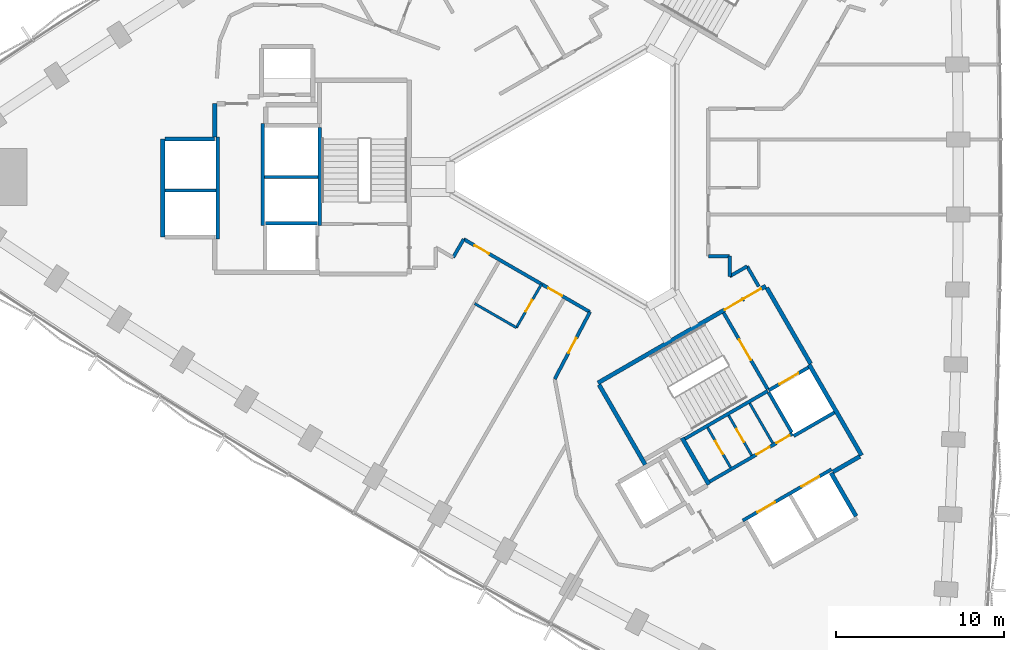
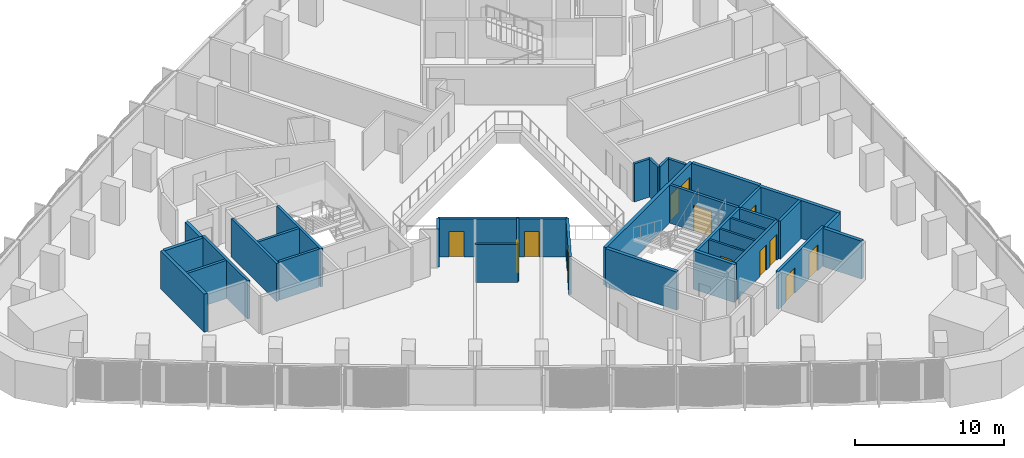
# One storey, part 9 of 15: 35 walls, 14 doors, 14 openings.
"""IFC4 building model written with IfcOpenShell, lengths in metres."""

from ifc_helpers import new_model, si_unit, direction, frame, frame_2d, origin, place, context, subcontext, project, spatial, rectangle, extrude, material, layer, layer_set, type_object, element, fill, save


model = new_model("IFC4")

# Units and contexts
model_context = context("Model", 3, precision=1e-05, world=origin(), true_north=direction((0.0, 1.0)))
body_context = subcontext(model_context, "Body", "Model", "MODEL_VIEW")
ifc_project = project(units=[si_unit("LENGTHUNIT", "METRE"), si_unit("AREAUNIT", "SQUARE_METRE"), si_unit("VOLUMEUNIT", "CUBIC_METRE"), si_unit("PLANEANGLEUNIT", "RADIAN"), si_unit("MASSUNIT", "GRAM", prefix="KILO")], contexts=[model_context])

# Site, building, storey
site_placement = place(None, origin())
site = spatial("IfcSite", under=ifc_project, at=site_placement, CompositionType="ELEMENT")
building_placement = place(site_placement, origin())
building = spatial("IfcBuilding", under=site, at=building_placement, Name="Tamra Quay Hotel Tower", CompositionType="ELEMENT")
storey_placement = place(building_placement, frame((0.0, 0.0, 63.800048828125)))
storey = spatial("IfcBuildingStorey", under=building, at=storey_placement, Name="L14", CompositionType="ELEMENT", Elevation=63.800048828125)

# Walls
ifc_material_1 = material(Name="Concrete M70", Category="concrete")
ifc_layer_1 = layer(ifc_material_1, 0.199951171875)
ifc_layer_set_1 = layer_set([ifc_layer_1], Name="Concrete M70 core wall 200")
wall_type_1 = type_object("IfcWallType", Name="Concrete M70 core wall 200", PredefinedType="SHEAR", material=ifc_layer_set_1)
wall_1_placement = place(storey_placement, frame((-16.162109375, 2.95068359375, 0.0), z_axis=(0.0, 0.0, 1.0), x_axis=(0.0, -1.0, 0.0)))
element("IfcWall", 1, at=wall_1_placement, inside=storey, type_object=wall_type_1, Name="CW2", PredefinedType="SHEAR", context=body_context, shape_type="SweptSolid", body=[
    extrude(rectangle(XDim=5.850830078125, YDim=0.199951171875, at=frame_2d((2.92529296875, 0.0))), origin(), (0.0, 0.0, 1.0), 3.125),
])
for number, where, z_axis, x_axis, name in (
    (2, (-19.5625, -2.900146484375, 0.0), (0.0, 0.0, 1.0), (0.0, 1.0, 0.0), "CW2"),
    (3, (-22.26220703125, 2.400146484375, 0.0), (0.0, 0.0, 1.0), (0.0, -1.0, 0.0), "CW2"),
):
    element("IfcWall", number, at=place(storey_placement, frame(where, z_axis=z_axis, x_axis=x_axis)), inside=storey, type_object=wall_type_1, Name=name, PredefinedType="SHEAR", context=body_context, shape_type="SweptSolid", body=[
        extrude(rectangle(XDim=6.100341796875, YDim=0.199951171875, at=frame_2d((3.05029296875, 0.0))), origin(), (0.0, 0.0, 1.0), 3.125),
    ])
wall_2_placement = place(storey_placement, frame((-16.26318359375, 0.0, 0.0), z_axis=(0.0, 0.0, 1.0), x_axis=(-1.0, 0.0, 0.0)))
element("IfcWall", 4, at=wall_2_placement, inside=storey, type_object=wall_type_1, Name="CW2", PredefinedType="SHEAR", context=body_context, shape_type="SweptSolid", body=[
    extrude(rectangle(XDim=3.1982421875, YDim=0.199951171875, at=frame_2d((1.59912109375, 0.0))), origin(), (0.0, 0.0, 1.0), 3.125),
])
wall_3_placement = place(storey_placement, frame((-22.36328125, -0.800048828125, 0.0), z_axis=(0.0, 0.0, 1.0), x_axis=(-1.0, 0.0, 0.0)))
element("IfcWall", 5, at=wall_3_placement, inside=storey, type_object=wall_type_1, Name="CW2", PredefinedType="SHEAR", context=body_context, shape_type="SweptSolid", body=[
    extrude(rectangle(XDim=3.048095703125, YDim=0.199951171875, at=frame_2d((1.52392578125, 0.0))), origin(), (0.0, 0.0, 1.0), 3.125),
])
wall_4_placement = place(storey_placement, frame((-19.412353515625, -2.75, 0.0), z_axis=(0.0, 0.0, 1.0), x_axis=(1.0, 0.0, 0.0)))
element("IfcWall", 6, at=wall_4_placement, inside=storey, type_object=wall_type_1, Name="CW2", PredefinedType="SHEAR", context=body_context, shape_type="SweptSolid", body=[
    extrude(rectangle(XDim=3.10009765625, YDim=0.199951171875, at=frame_2d((1.550048828125, 0.0))), origin(), (0.0, 0.0, 1.0), 3.125),
])

# Wall, openings, doors
wall_5_placement = place(storey_placement, frame((9.052490234375, -20.479736328125, 0.0), z_axis=(0.0, 0.0, 1.0), x_axis=(0.866030299012, 0.499991521122, 0.0)))
wall_5 = element("IfcWall", 7, at=wall_5_placement, inside=storey, type_object=wall_type_1, Name="CW2", PredefinedType="SHEAR", context=body_context, shape_type="SweptSolid", body=[
    extrude(rectangle(XDim=6.10009765625, YDim=0.199951171875, at=frame_2d((3.050048828125, 0.0))), origin(), (0.0, 0.0, 1.0), 3.125),
])
opening_1_placement = place(wall_5_placement, frame((1.0, 0.0, 0.0)))
opening_1 = element("IfcOpeningElement", 8, at=opening_1_placement, cuts=wall_5, Name="Opening LD", PredefinedType="OPENING", context=body_context, shape_type="SweptSolid", body=[
    extrude(rectangle(XDim=1.199951171875, YDim=2.10009765625, at=frame_2d((0.60009765625, 1.050048828125))), frame((0.0, 0.10986328125, 0.0), z_axis=(0.0, -1.0, 0.0), x_axis=(1.0, 0.0, 0.0)), (0.0, 0.0, 1.0), 0.219970703125),
])
opening_2_placement = place(wall_5_placement, frame((4.05029296875, 0.0, 0.0)))
opening_2 = element("IfcOpeningElement", 9, at=opening_2_placement, cuts=wall_5, Name="Opening LD", PredefinedType="OPENING", context=body_context, shape_type="SweptSolid", body=[
    extrude(rectangle(XDim=1.199951171875, YDim=2.10009765625, at=frame_2d((0.60009765625, 1.050048828125))), frame((0.0, 0.10986328125, 0.0), z_axis=(0.0, -1.0, 0.0), x_axis=(1.0, 0.0, 0.0)), (0.0, 0.0, 1.0), 0.219970703125),
])
ifc_material_2 = material(Name="Landing door LD 1200 double door sliding")
door_type_1 = type_object("IfcDoorType", Name="Landing door LD 1200 double door sliding", OperationType="DOUBLE_DOOR_SLIDING", PredefinedType="DOOR", material=ifc_material_2)
door_1_placement = place(opening_1_placement, origin())
door_1 = element("IfcDoor", 10, at=door_1_placement, inside=storey, type_object=door_type_1, Name="LD", OperationType="DOUBLE_DOOR_SLIDING", OverallHeight=2.10009765625, OverallWidth=1.199951171875, PredefinedType="DOOR", context=body_context, shape_type="SweptSolid", body=[
    extrude(rectangle(XDim=1.199951171875, YDim=2.10009765625, at=frame_2d((0.60009765625, 1.050048828125))), frame((0.0, 0.02490234375, 0.0), z_axis=(0.0, -1.0, 0.0), x_axis=(1.0, 0.0, 0.0)), (0.0, 0.0, 1.0), 0.050048828125),
])
fill(opening_1, door_1)
door_2_placement = place(opening_2_placement, origin())
door_2 = element("IfcDoor", 11, at=door_2_placement, inside=storey, type_object=door_type_1, Name="LD", OperationType="DOUBLE_DOOR_SLIDING", OverallHeight=2.10009765625, OverallWidth=1.199951171875, PredefinedType="DOOR", context=body_context, shape_type="SweptSolid", body=[
    extrude(rectangle(XDim=1.199951171875, YDim=2.10009765625, at=frame_2d((0.60009765625, 1.050048828125))), frame((0.0, 0.02490234375, 0.0), z_axis=(0.0, -1.0, 0.0), x_axis=(1.0, 0.0, 0.0)), (0.0, 0.0, 1.0), 0.050048828125),
])
fill(opening_2, door_2)

# Wall
wall_6_placement = place(storey_placement, frame((10.537841796875, -12.751953125, 0.0), z_axis=(0.0, 0.0, 1.0), x_axis=(-0.866038630372, -0.499977090179, 0.0)))
element("IfcWall", 12, at=wall_6_placement, inside=storey, type_object=wall_type_1, Name="CW2", PredefinedType="SHEAR", context=body_context, shape_type="SweptSolid", body=[
    extrude(rectangle(XDim=5.698974609375, YDim=0.199951171875, at=frame_2d((2.849609375, 0.0))), origin(), (0.0, 0.0, 1.0), 3.125),
])

# Wall, openings, doors
wall_7_placement = place(storey_placement, frame((7.0771484375, -18.156005859375, 0.0), z_axis=(0.0, 0.0, 1.0), x_axis=(0.866038630372, 0.499977090179, 0.0)))
wall_7 = element("IfcWall", 13, at=wall_7_placement, inside=storey, type_object=wall_type_1, Name="CW2", PredefinedType="SHEAR", context=body_context, shape_type="SweptSolid", body=[
    extrude(rectangle(XDim=5.698974609375, YDim=0.199951171875, at=frame_2d((2.849609375, 0.0))), origin(), (0.0, 0.0, 1.0), 3.125),
])
opening_3_placement = place(wall_7_placement, frame((3.22412109375, 0.0, 0.0)))
opening_3 = element("IfcOpeningElement", 14, at=opening_3_placement, cuts=wall_7, Name="Opening D2", PredefinedType="OPENING", context=body_context, shape_type="SweptSolid", body=[
    extrude(rectangle(XDim=0.89990234375, YDim=2.10009765625, at=frame_2d((0.449951171875, 1.050048828125))), frame((0.0, 0.10986328125, 0.0), z_axis=(0.0, -1.0, 0.0), x_axis=(1.0, 0.0, 0.0)), (0.0, 0.0, 1.0), 0.219970703125),
])
opening_4_placement = place(wall_7_placement, frame((4.59912109375, 0.0, 0.0)))
opening_4 = element("IfcOpeningElement", 15, at=opening_4_placement, cuts=wall_7, Name="Opening D2", PredefinedType="OPENING", context=body_context, shape_type="SweptSolid", body=[
    extrude(rectangle(XDim=0.89990234375, YDim=2.10009765625, at=frame_2d((0.449951171875, 1.050048828125))), frame((0.0, 0.10986328125, 0.0), z_axis=(0.0, -1.0, 0.0), x_axis=(1.0, 0.0, 0.0)), (0.0, 0.0, 1.0), 0.219970703125),
])
ifc_material_3 = material(Name="Core door D2 900x2100 LH")
door_type_2 = type_object("IfcDoorType", Name="Core door D2 900x2100 LH", OperationType="NOTDEFINED", PredefinedType="DOOR", material=ifc_material_3)
door_3_placement = place(opening_4_placement, origin())
door_3 = element("IfcDoor", 16, at=door_3_placement, inside=storey, type_object=door_type_2, Name="D2", OperationType="SINGLE_SWING_LEFT", OverallHeight=2.10009765625, OverallWidth=0.89990234375, PredefinedType="DOOR", context=body_context, shape_type="SweptSolid", body=[
    extrude(rectangle(XDim=0.89990234375, YDim=2.10009765625, at=frame_2d((0.449951171875, 1.050048828125))), frame((0.0, 0.02490234375, 0.0), z_axis=(0.0, -1.0, 0.0), x_axis=(1.0, 0.0, 0.0)), (0.0, 0.0, 1.0), 0.050048828125),
])
fill(opening_4, door_3)
ifc_material_4 = material(Name="Core door D2 900x2100 RH")
door_type_3 = type_object("IfcDoorType", Name="Core door D2 900x2100 RH", OperationType="NOTDEFINED", PredefinedType="DOOR", material=ifc_material_4)
door_4_placement = place(opening_3_placement, origin())
door_4 = element("IfcDoor", 17, at=door_4_placement, inside=storey, type_object=door_type_3, Name="D2", OperationType="SINGLE_SWING_RIGHT", OverallHeight=2.10009765625, OverallWidth=0.89990234375, PredefinedType="DOOR", context=body_context, shape_type="SweptSolid", body=[
    extrude(rectangle(XDim=0.89990234375, YDim=2.10009765625, at=frame_2d((0.449951171875, 1.050048828125))), frame((0.0, 0.02490234375, 0.0), z_axis=(0.0, -1.0, 0.0), x_axis=(1.0, 0.0, 0.0)), (0.0, 0.0, 1.0), 0.050048828125),
])
fill(opening_3, door_4)

# Wall, opening, door
wall_8_placement = place(storey_placement, frame((7.906494140625, -8.094482421875, 0.0), z_axis=(0.0, 0.0, 1.0), x_axis=(0.500024287448, -0.866011380966, 0.0)))
wall_8 = element("IfcWall", 18, at=wall_8_placement, inside=storey, type_object=wall_type_1, Name="CW2", PredefinedType="SHEAR", context=body_context, shape_type="SweptSolid", body=[
    extrude(rectangle(XDim=5.251220703125, YDim=0.199951171875, at=frame_2d((2.62548828125, 0.0))), origin(), (0.0, 0.0, 1.0), 3.125),
])
opening_5_placement = place(wall_8_placement, frame((1.84912109375, 0.0, 0.0)))
opening_5 = element("IfcOpeningElement", 19, at=opening_5_placement, cuts=wall_8, Name="Opening FD2", PredefinedType="OPENING", context=body_context, shape_type="SweptSolid", body=[
    extrude(rectangle(XDim=1.39990234375, YDim=2.10009765625, at=frame_2d((0.699951171875, 1.050048828125))), frame((0.0, 0.10986328125, 0.0), z_axis=(0.0, -1.0, 0.0), x_axis=(1.0, 0.0, 0.0)), (0.0, 0.0, 1.0), 0.219970703125),
])
ifc_material_5 = material(Name="Core door FD2 1400x2100 LH")
door_type_4 = type_object("IfcDoorType", Name="Core door FD2 1400x2100 LH", OperationType="NOTDEFINED", PredefinedType="DOOR", material=ifc_material_5)
door_5_placement = place(opening_5_placement, origin())
door_5 = element("IfcDoor", 20, at=door_5_placement, inside=storey, type_object=door_type_4, Name="FD2", OperationType="SINGLE_SWING_LEFT", OverallHeight=2.10009765625, OverallWidth=1.39990234375, PredefinedType="DOOR", context=body_context, shape_type="SweptSolid", body=[
    extrude(rectangle(XDim=1.39990234375, YDim=2.10009765625, at=frame_2d((0.699951171875, 1.050048828125))), frame((0.0, 0.02490234375, 0.0), z_axis=(0.0, -1.0, 0.0), x_axis=(1.0, 0.0, 0.0)), (0.0, 0.0, 1.0), 0.050048828125),
])
fill(opening_5, door_5)

# Wall
wall_9_placement = place(storey_placement, frame((11.962646484375, -15.219970703125, 0.0), z_axis=(0.0, 0.0, 1.0), x_axis=(-0.500034990121, 0.866005201286, 0.0)))
element("IfcWall", 21, at=wall_9_placement, inside=storey, type_object=wall_type_1, Name="CW2", PredefinedType="SHEAR", context=body_context, shape_type="SweptSolid", body=[
    extrude(rectangle(XDim=2.749755859375, YDim=0.199951171875, at=frame_2d((1.375, 0.0))), origin(), (0.0, 0.0, 1.0), 3.125),
])

# Wall, opening, door
wall_10_placement = place(storey_placement, frame((10.587158203125, -12.72314453125, 0.0), z_axis=(0.0, 0.0, 1.0), x_axis=(0.866037306777, 0.499979382845, 0.0)))
wall_10 = element("IfcWall", 22, at=wall_10_placement, inside=storey, type_object=wall_type_1, Name="CW2", PredefinedType="SHEAR", context=body_context, shape_type="SweptSolid", body=[
    extrude(rectangle(XDim=2.74169921875, YDim=0.199951171875, at=frame_2d((1.370849609375, 0.0))), origin(), (0.0, 0.0, 1.0), 3.125),
])
opening_6_placement = place(wall_10_placement, frame((0.742919921875, 0.0, 0.0)))
opening_6 = element("IfcOpeningElement", 23, at=opening_6_placement, cuts=wall_10, Name="Opening LD", PredefinedType="OPENING", context=body_context, shape_type="SweptSolid", body=[
    extrude(rectangle(XDim=1.300048828125, YDim=2.10009765625, at=frame_2d((0.64990234375, 1.050048828125))), frame((0.0, 0.10986328125, 0.0), z_axis=(0.0, -1.0, 0.0), x_axis=(1.0, 0.0, 0.0)), (0.0, 0.0, 1.0), 0.219970703125),
])
ifc_material_6 = material(Name="Landing door LD 1300 sliding to left")
door_type_5 = type_object("IfcDoorType", Name="Landing door LD 1300 sliding to left", OperationType="NOTDEFINED", PredefinedType="DOOR", material=ifc_material_6)
door_6_placement = place(opening_6_placement, origin())
door_6 = element("IfcDoor", 24, at=door_6_placement, inside=storey, type_object=door_type_5, Name="LD", OperationType="SLIDING_TO_LEFT", OverallHeight=2.10009765625, OverallWidth=1.300048828125, PredefinedType="DOOR", context=body_context, shape_type="SweptSolid", body=[
    extrude(rectangle(XDim=1.300048828125, YDim=2.10009765625, at=frame_2d((0.64990234375, 1.050048828125))), frame((0.0, 0.02490234375, 0.0), z_axis=(0.0, -1.0, 0.0), x_axis=(1.0, 0.0, 0.0)), (0.0, 0.0, 1.0), 0.050048828125),
])
fill(opening_6, door_6)

# Walls
wall_11_placement = place(storey_placement, frame((14.51171875, -14.037109375, 0.0), z_axis=(0.0, 0.0, 1.0), x_axis=(-0.866044696403, -0.499966582715, 0.0)))
element("IfcWall", 25, at=wall_11_placement, inside=storey, type_object=wall_type_1, Name="CW2", PredefinedType="SHEAR", context=body_context, shape_type="SweptSolid", body=[
    extrude(rectangle(XDim=2.799072265625, YDim=0.199951171875, at=frame_2d((1.3994140625, 0.0))), origin(), (0.0, 0.0, 1.0), 3.125),
])
ifc_layer_2 = layer(ifc_material_1, 0.25)
ifc_layer_set_2 = layer_set([ifc_layer_2], Name="Concrete M70 core wall 250")
wall_type_2 = type_object("IfcWallType", Name="Concrete M70 core wall 250", PredefinedType="SHEAR", material=ifc_layer_set_2)
wall_12_placement = place(storey_placement, frame((-25.537353515625, -3.574951171875, 0.0), z_axis=(0.0, 0.0, 1.0), x_axis=(0.0, 1.0, 0.0)))
element("IfcWall", 26, at=wall_12_placement, inside=storey, type_object=wall_type_2, Name="CW1", PredefinedType="SHEAR", context=body_context, shape_type="SweptSolid", body=[
    extrude(rectangle(XDim=5.849853515625, YDim=0.25, at=frame_2d((2.9248046875, 0.0))), origin(), (0.0, 0.0, 1.0), 3.125),
])
wall_13_placement = place(storey_placement, frame((-25.411865234375, 2.27490234375, 0.0), z_axis=(0.0, 0.0, 1.0), x_axis=(1.0, 0.0, 0.0)))
element("IfcWall", 27, at=wall_13_placement, inside=storey, type_object=wall_type_2, Name="CW1", PredefinedType="SHEAR", context=body_context, shape_type="SweptSolid", body=[
    extrude(rectangle(XDim=2.974609375, YDim=0.25, at=frame_2d((1.4873046875, 0.0))), origin(), (0.0, 0.0, 1.0), 3.125),
])
wall_14_placement = place(storey_placement, frame((-22.437255859375, 2.400390625, 0.0), z_axis=(0.0, 0.0, 1.0), x_axis=(0.0, 1.0, 0.0)))
element("IfcWall", 28, at=wall_14_placement, inside=storey, type_object=wall_type_2, Name="CW1", PredefinedType="SHEAR", context=body_context, shape_type="SweptSolid", body=[
    extrude(rectangle(XDim=1.974609375, YDim=0.25, at=frame_2d((0.9873046875, 0.0))), origin(), (0.0, 0.0, 1.0), 3.125),
])

# Wall, openings, doors
wall_15_placement = place(storey_placement, frame((0.417236328125, -12.27294921875, 0.0), z_axis=(0.0, 0.0, 1.0), x_axis=(0.866021906294, 0.500006057782, 0.0)))
wall_15 = element("IfcWall", 29, at=wall_15_placement, inside=storey, type_object=wall_type_2, Name="CW1", PredefinedType="SHEAR", context=body_context, shape_type="SweptSolid", body=[
    extrude(rectangle(XDim=11.550048828125, YDim=0.25, at=frame_2d((5.77490234375, 0.0))), origin(), (0.0, 0.0, 1.0), 3.125),
])
opening_7_placement = place(wall_15_placement, frame((10.024658203125, 0.0, 0.0)))
opening_7 = element("IfcOpeningElement", 30, at=opening_7_placement, cuts=wall_15, Name="Opening FD1", PredefinedType="OPENING", context=body_context, shape_type="SweptSolid", body=[
    extrude(rectangle(XDim=1.199951171875, YDim=2.10009765625, at=frame_2d((0.60009765625, 1.050048828125))), frame((0.0, 0.135009765625, 0.0), z_axis=(0.0, -1.0, 0.0), x_axis=(1.0, 0.0, 0.0)), (0.0, 0.0, 1.0), 0.27001953125),
])
opening_8_placement = place(wall_15_placement, frame((8.724609375, 0.0, 0.0)))
opening_8 = element("IfcOpeningElement", 31, at=opening_8_placement, cuts=wall_15, Name="Opening FD1", PredefinedType="OPENING", context=body_context, shape_type="SweptSolid", body=[
    extrude(rectangle(XDim=1.199951171875, YDim=2.10009765625, at=frame_2d((0.60009765625, 1.050048828125))), frame((0.0, 0.135009765625, 0.0), z_axis=(0.0, -1.0, 0.0), x_axis=(1.0, 0.0, 0.0)), (0.0, 0.0, 1.0), 0.27001953125),
])
ifc_material_7 = material(Name="Core door FD1 1200x2100 LH")
door_type_6 = type_object("IfcDoorType", Name="Core door FD1 1200x2100 LH", OperationType="NOTDEFINED", PredefinedType="DOOR", material=ifc_material_7)
door_7_placement = place(opening_7_placement, origin())
door_7 = element("IfcDoor", 32, at=door_7_placement, inside=storey, type_object=door_type_6, Name="FD1", OperationType="SINGLE_SWING_LEFT", OverallHeight=2.10009765625, OverallWidth=1.199951171875, PredefinedType="DOOR", context=body_context, shape_type="SweptSolid", body=[
    extrude(rectangle(XDim=1.199951171875, YDim=2.10009765625, at=frame_2d((0.60009765625, 1.050048828125))), frame((0.0, 0.02490234375, 0.0), z_axis=(0.0, -1.0, 0.0), x_axis=(1.0, 0.0, 0.0)), (0.0, 0.0, 1.0), 0.050048828125),
])
fill(opening_7, door_7)
ifc_material_8 = material(Name="Core door FD1 1200x2100 RH")
door_type_7 = type_object("IfcDoorType", Name="Core door FD1 1200x2100 RH", OperationType="NOTDEFINED", PredefinedType="DOOR", material=ifc_material_8)
door_8_placement = place(opening_8_placement, origin())
door_8 = element("IfcDoor", 33, at=door_8_placement, inside=storey, type_object=door_type_7, Name="FD1", OperationType="SINGLE_SWING_RIGHT", OverallHeight=2.10009765625, OverallWidth=1.199951171875, PredefinedType="DOOR", context=body_context, shape_type="SweptSolid", body=[
    extrude(rectangle(XDim=1.199951171875, YDim=2.10009765625, at=frame_2d((0.60009765625, 1.050048828125))), frame((0.0, 0.02490234375, 0.0), z_axis=(0.0, -1.0, 0.0), x_axis=(1.0, 0.0, 0.0)), (0.0, 0.0, 1.0), 0.050048828125),
])
fill(opening_8, door_8)

# Walls
wall_16_placement = place(storey_placement, frame((13.00830078125, -11.18115234375, 0.0), z_axis=(0.0, 0.0, 1.0), x_axis=(0.500004234368, -0.866022959057, 0.0)))
element("IfcWall", 34, at=wall_16_placement, inside=storey, type_object=wall_type_2, Name="CW1", PredefinedType="SHEAR", context=body_context, shape_type="SweptSolid", body=[
    extrude(rectangle(XDim=6.25, YDim=0.25, at=frame_2d((3.125, 0.0))), origin(), (0.0, 0.0, 1.0), 3.125),
])
wall_17_placement = place(storey_placement, frame((3.23486328125, -17.15283203125, 0.0), z_axis=(0.0, 0.0, 1.0), x_axis=(-0.500008851346, 0.866020293397, 0.0)))
element("IfcWall", 35, at=wall_17_placement, inside=storey, type_object=wall_type_2, Name="CW1", PredefinedType="SHEAR", context=body_context, shape_type="SweptSolid", body=[
    extrude(rectangle(XDim=5.509765625, YDim=0.25, at=frame_2d((2.7548828125, 0.0))), origin(), (0.0, 0.0, 1.0), 3.125),
])
wall_18_placement = place(storey_placement, frame((10.482666015625, -6.6064453125, 0.0), z_axis=(0.0, 0.0, 1.0), x_axis=(0.49999885962, -0.866026062182, 0.0)))
element("IfcWall", 36, at=wall_18_placement, inside=storey, type_object=wall_type_2, Name="CW1", PredefinedType="SHEAR", context=body_context, shape_type="SweptSolid", body=[
    extrude(rectangle(XDim=5.224609375, YDim=0.25, at=frame_2d((2.6123046875, 0.0))), origin(), (0.0, 0.0, 1.0), 3.125),
])
wall_19_placement = place(storey_placement, frame((7.030517578125, -18.327392578125, 0.0), z_axis=(0.0, 0.0, 1.0), x_axis=(-0.499971222258, 0.866042017984, 0.0)))
element("IfcWall", 37, at=wall_19_placement, inside=storey, type_object=wall_type_2, Name="CW1", PredefinedType="SHEAR", context=body_context, shape_type="SweptSolid", body=[
    extrude(rectangle(XDim=3.199951171875, YDim=0.25, at=frame_2d((1.60009765625, 0.0))), origin(), (0.0, 0.0, 1.0), 3.125),
])
wall_20_placement = place(storey_placement, frame((14.314697265625, -17.643798828125, 0.0), z_axis=(0.0, 0.0, 1.0), x_axis=(0.500023226632, -0.866011993467, 0.0)))
element("IfcWall", 38, at=wall_20_placement, inside=storey, type_object=wall_type_2, Name="CW1", PredefinedType="SHEAR", context=body_context, shape_type="SweptSolid", body=[
    extrude(rectangle(XDim=2.974365234375, YDim=0.25, at=frame_2d((1.4873046875, 0.0))), origin(), (0.0, 0.0, 1.0), 3.125),
])
wall_21_placement = place(storey_placement, frame((16.024658203125, -16.656494140625, 0.0), z_axis=(0.0, 0.0, 1.0), x_axis=(-0.866016279763, -0.500015802937, 0.0)))
element("IfcWall", 39, at=wall_21_placement, inside=storey, type_object=wall_type_2, Name="CW1", PredefinedType="SHEAR", context=body_context, shape_type="SweptSolid", body=[
    extrude(rectangle(XDim=1.84912109375, YDim=0.25, at=frame_2d((0.924560546875, 0.0))), origin(), (0.0, 0.0, 1.0), 3.125),
])

# Wall, opening, door
ifc_material_9 = material(Name="Blockwork", Category="masonry")
ifc_layer_3 = layer(ifc_material_9, 0.14990234375)
ifc_layer_set_3 = layer_set([ifc_layer_3], Name="Core partition block 150")
wall_type_3 = type_object("IfcWallType", Name="Core partition block 150", PredefinedType="PARTITIONING", material=ifc_layer_set_3)
wall_22_placement = place(storey_placement, frame((8.20654296875, -14.214111328125, 0.0), z_axis=(0.0, 0.0, 1.0), x_axis=(0.50002746344, -0.86600954718, 0.0)))
wall_22 = element("IfcWall", 40, at=wall_22_placement, inside=storey, type_object=wall_type_3, Name="CP1", PredefinedType="PARTITIONING", context=body_context, shape_type="SweptSolid", body=[
    extrude(rectangle(XDim=2.748291015625, YDim=0.14990234375, at=frame_2d((1.3740234375, 0.0))), origin(), (0.0, 0.0, 1.0), 3.125),
])
opening_9_placement = place(wall_22_placement, frame((0.92431640625, 0.0, 0.0)))
opening_9 = element("IfcOpeningElement", 41, at=opening_9_placement, cuts=wall_22, Name="Opening D2", PredefinedType="OPENING", context=body_context, shape_type="SweptSolid", body=[
    extrude(rectangle(XDim=0.89990234375, YDim=2.10009765625, at=frame_2d((0.449951171875, 1.050048828125))), frame((0.0, 0.0849609375, 0.0), z_axis=(0.0, -1.0, 0.0), x_axis=(1.0, 0.0, 0.0)), (0.0, 0.0, 1.0), 0.169921875),
])
door_9_placement = place(opening_9_placement, origin())
door_9 = element("IfcDoor", 42, at=door_9_placement, inside=storey, type_object=door_type_2, Name="D2", OperationType="SINGLE_SWING_LEFT", OverallHeight=2.10009765625, OverallWidth=0.89990234375, PredefinedType="DOOR", context=body_context, shape_type="SweptSolid", body=[
    extrude(rectangle(XDim=0.89990234375, YDim=2.10009765625, at=frame_2d((0.449951171875, 1.050048828125))), frame((0.0, 0.02490234375, 0.0), z_axis=(0.0, -1.0, 0.0), x_axis=(1.0, 0.0, 0.0)), (0.0, 0.0, 1.0), 0.050048828125),
])
fill(opening_9, door_9)

# Wall
wall_23_placement = place(storey_placement, frame((9.46240234375, -13.489013671875, 0.0), z_axis=(0.0, 0.0, 1.0), x_axis=(0.499988999718, -0.866031754707, 0.0)))
element("IfcWall", 43, at=wall_23_placement, inside=storey, type_object=wall_type_3, Name="CP1", PredefinedType="PARTITIONING", context=body_context, shape_type="SweptSolid", body=[
    extrude(rectangle(XDim=2.74853515625, YDim=0.14990234375, at=frame_2d((1.374267578125, 0.0))), origin(), (0.0, 0.0, 1.0), 3.125),
])

# Wall, opening, door
wall_24_placement = place(storey_placement, frame((6.950927734375, -14.93896484375, 0.0), z_axis=(0.0, 0.0, 1.0), x_axis=(0.499988999718, -0.866031754707, 0.0)))
wall_24 = element("IfcWall", 44, at=wall_24_placement, inside=storey, type_object=wall_type_3, Name="CP1", PredefinedType="PARTITIONING", context=body_context, shape_type="SweptSolid", body=[
    extrude(rectangle(XDim=2.74853515625, YDim=0.14990234375, at=frame_2d((1.374267578125, 0.0))), origin(), (0.0, 0.0, 1.0), 3.125),
])
opening_10_placement = place(wall_24_placement, frame((0.92431640625, 0.0, 0.0)))
opening_10 = element("IfcOpeningElement", 45, at=opening_10_placement, cuts=wall_24, Name="Opening D2", PredefinedType="OPENING", context=body_context, shape_type="SweptSolid", body=[
    extrude(rectangle(XDim=0.89990234375, YDim=2.10009765625, at=frame_2d((0.449951171875, 1.050048828125))), frame((0.0, 0.0849609375, 0.0), z_axis=(0.0, -1.0, 0.0), x_axis=(1.0, 0.0, 0.0)), (0.0, 0.0, 1.0), 0.169921875),
])
door_10_placement = place(opening_10_placement, origin())
door_10 = element("IfcDoor", 46, at=door_10_placement, inside=storey, type_object=door_type_3, Name="D2", OperationType="SINGLE_SWING_RIGHT", OverallHeight=2.10009765625, OverallWidth=0.89990234375, PredefinedType="DOOR", context=body_context, shape_type="SweptSolid", body=[
    extrude(rectangle(XDim=0.89990234375, YDim=2.10009765625, at=frame_2d((0.449951171875, 1.050048828125))), frame((0.0, 0.02490234375, 0.0), z_axis=(0.0, -1.0, 0.0), x_axis=(1.0, 0.0, 0.0)), (0.0, 0.0, 1.0), 0.050048828125),
])
fill(opening_10, door_10)

# Wall
ifc_material_10 = material(Name="Partition corridor wall")
ifc_layer_4 = layer(ifc_material_10, 0.199951171875)
ifc_layer_set_4 = layer_set([ifc_layer_4], Name="Partition corridor wall")
wall_type_4 = type_object("IfcWallType", Name="Partition corridor wall", PredefinedType="PARTITIONING", material=ifc_layer_set_4)
wall_25_placement = place(storey_placement, frame((-8.222900390625, -4.800048828125, 0.0), z_axis=(0.0, 0.0, 1.0), x_axis=(0.499866914522, 0.866102227088, 0.0)))
element("IfcWall", 47, at=wall_25_placement, inside=storey, type_object=wall_type_4, Name="W-C", PredefinedType="PARTITIONING", context=body_context, shape_type="SweptSolid", body=[
    extrude(rectangle(XDim=1.267822265625, YDim=0.199951171875, at=frame_2d((0.6337890625, 0.0))), origin(), (0.0, 0.0, 1.0), 3.125),
])

# Wall, openings, doors
wall_26_placement = place(storey_placement, frame((-7.589111328125, -3.701904296875, 0.0), z_axis=(0.0, 0.0, 1.0), x_axis=(0.865995139556, -0.500052415518, 0.0)))
wall_26 = element("IfcWall", 48, at=wall_26_placement, inside=storey, type_object=wall_type_4, Name="W-C", PredefinedType="PARTITIONING", context=body_context, shape_type="SweptSolid", body=[
    extrude(rectangle(XDim=8.68896484375, YDim=0.199951171875, at=frame_2d((4.344482421875, 0.0))), origin(), (0.0, 0.0, 1.0), 3.125),
])
opening_11_placement = place(wall_26_placement, frame((0.748779296875, 0.0, 0.0)))
opening_11 = element("IfcOpeningElement", 49, at=opening_11_placement, cuts=wall_26, Name="Opening L14-D012", PredefinedType="OPENING", context=body_context, shape_type="SweptSolid", body=[
    extrude(rectangle(XDim=1.0, YDim=2.10009765625, at=frame_2d((0.5, 1.050048828125))), frame((0.0, 0.10986328125, 0.0), z_axis=(0.0, -1.0, 0.0), x_axis=(1.0, 0.0, 0.0)), (0.0, 0.0, 1.0), 0.219970703125),
])
opening_12_placement = place(wall_26_placement, frame((5.818603515625, 0.0, 0.0)))
opening_12 = element("IfcOpeningElement", 50, at=opening_12_placement, cuts=wall_26, Name="Opening L14-D013", PredefinedType="OPENING", context=body_context, shape_type="SweptSolid", body=[
    extrude(rectangle(XDim=0.949951171875, YDim=2.10009765625, at=frame_2d((0.47509765625, 1.050048828125))), frame((0.0, 0.10986328125, 0.0), z_axis=(0.0, -1.0, 0.0), x_axis=(1.0, 0.0, 0.0)), (0.0, 0.0, 1.0), 0.219970703125),
])
ifc_material_11 = material(Name="Door guest room 1000x2100")
door_type_8 = type_object("IfcDoorType", Name="Door guest room 1000x2100", OperationType="NOTDEFINED", PredefinedType="DOOR", material=ifc_material_11)
door_11_placement = place(opening_11_placement, frame((1.0, 0.0, 0.0), z_axis=(0.0, 0.0, 1.0), x_axis=(-1.0, 0.0, 0.0)))
door_11 = element("IfcDoor", 51, at=door_11_placement, inside=storey, type_object=door_type_8, Name="L14-D012", OperationType="SINGLE_SWING_LEFT", OverallHeight=2.10009765625, OverallWidth=1.0, PredefinedType="DOOR", context=body_context, shape_type="SweptSolid", body=[
    extrude(rectangle(XDim=1.0, YDim=2.10009765625, at=frame_2d((0.5, 1.050048828125))), frame((0.0, 0.02490234375, 0.0), z_axis=(0.0, -1.0, 0.0), x_axis=(1.0, 0.0, 0.0)), (0.0, 0.0, 1.0), 0.050048828125),
])
fill(opening_11, door_11)
ifc_material_12 = material(Name="Door guest room 950x2100")
door_type_9 = type_object("IfcDoorType", Name="Door guest room 950x2100", OperationType="NOTDEFINED", PredefinedType="DOOR", material=ifc_material_12)
door_12_placement = place(opening_12_placement, frame((0.949951171875, 0.0, 0.0), z_axis=(0.0, 0.0, 1.0), x_axis=(-1.0, 0.0, 0.0)))
door_12 = element("IfcDoor", 52, at=door_12_placement, inside=storey, type_object=door_type_9, Name="L14-D013", OperationType="SINGLE_SWING_LEFT", OverallHeight=2.10009765625, OverallWidth=0.949951171875, PredefinedType="DOOR", context=body_context, shape_type="SweptSolid", body=[
    extrude(rectangle(XDim=0.949951171875, YDim=2.10009765625, at=frame_2d((0.47509765625, 1.050048828125))), frame((0.0, 0.02490234375, 0.0), z_axis=(0.0, -1.0, 0.0), x_axis=(1.0, 0.0, 0.0)), (0.0, 0.0, 1.0), 0.050048828125),
])
fill(opening_12, door_12)

# Wall, opening, door
wall_27_placement = place(storey_placement, frame((-2.162109375, -12.041015625, 0.0), z_axis=(0.0, 0.0, 1.0), x_axis=(0.464956890881, 0.885333321197, 0.0)))
wall_27 = element("IfcWall", 53, at=wall_27_placement, inside=storey, type_object=wall_type_4, Name="W-C", PredefinedType="PARTITIONING", context=body_context, shape_type="SweptSolid", body=[
    extrude(rectangle(XDim=4.512451171875, YDim=0.199951171875, at=frame_2d((2.25634765625, 0.0))), origin(), (0.0, 0.0, 1.0), 3.125),
])
opening_13_placement = place(wall_27_placement, frame((1.756103515625, 0.0, 0.0)))
opening_13 = element("IfcOpeningElement", 54, at=opening_13_placement, cuts=wall_27, Name="Opening L14-D015", PredefinedType="OPENING", context=body_context, shape_type="SweptSolid", body=[
    extrude(rectangle(XDim=1.0, YDim=2.10009765625, at=frame_2d((0.5, 1.050048828125))), frame((0.0, 0.10986328125, 0.0), z_axis=(0.0, -1.0, 0.0), x_axis=(1.0, 0.0, 0.0)), (0.0, 0.0, 1.0), 0.219970703125),
])
door_13_placement = place(opening_13_placement, origin())
door_13 = element("IfcDoor", 55, at=door_13_placement, inside=storey, type_object=door_type_8, Name="L14-D015", OperationType="SINGLE_SWING_LEFT", OverallHeight=2.10009765625, OverallWidth=1.0, PredefinedType="DOOR", context=body_context, shape_type="SweptSolid", body=[
    extrude(rectangle(XDim=1.0, YDim=2.10009765625, at=frame_2d((0.5, 1.050048828125))), frame((0.0, 0.02490234375, 0.0), z_axis=(0.0, -1.0, 0.0), x_axis=(1.0, 0.0, 0.0)), (0.0, 0.0, 1.0), 0.050048828125),
])
fill(opening_13, door_13)

# Walls
wall_28_placement = place(storey_placement, frame((7.0, -4.720947265625, 0.0), z_axis=(0.0, 0.0, 1.0), x_axis=(1.0, 0.0, 0.0)))
element("IfcWall", 56, at=wall_28_placement, inside=storey, type_object=wall_type_4, Name="W-C", PredefinedType="PARTITIONING", context=body_context, shape_type="SweptSolid", body=[
    extrude(rectangle(XDim=1.26806640625, YDim=0.199951171875, at=frame_2d((0.634033203125, 0.0))), origin(), (0.0, 0.0, 1.0), 3.125),
])
wall_29_placement = place(storey_placement, frame((8.26806640625, -5.9208984375, 0.0), z_axis=(0.0, 0.0, 1.0), x_axis=(0.0, 1.0, 0.0)))
element("IfcWall", 57, at=wall_29_placement, inside=storey, type_object=wall_type_4, Name="W-C", PredefinedType="PARTITIONING", context=body_context, shape_type="SweptSolid", body=[
    extrude(rectangle(XDim=1.199951171875, YDim=0.199951171875, at=frame_2d((0.60009765625, 0.0))), origin(), (0.0, 0.0, 1.0), 3.125),
])
wall_30_placement = place(storey_placement, frame((8.26806640625, -5.9208984375, 0.0), z_axis=(0.0, 0.0, 1.0), x_axis=(0.866344856625, 0.499446282797, 0.0)))
element("IfcWall", 58, at=wall_30_placement, inside=storey, type_object=wall_type_4, Name="W-C", PredefinedType="PARTITIONING", context=body_context, shape_type="SweptSolid", body=[
    extrude(rectangle(XDim=1.198974609375, YDim=0.199951171875, at=frame_2d((0.599609375, 0.0))), origin(), (0.0, 0.0, 1.0), 3.125),
])
wall_31_placement = place(storey_placement, frame((9.306884765625, -5.322021484375, 0.0), z_axis=(0.0, 0.0, 1.0), x_axis=(0.500295157811, -0.865854927266, 0.0)))
element("IfcWall", 59, at=wall_31_placement, inside=storey, type_object=wall_type_4, Name="W-C", PredefinedType="PARTITIONING", context=body_context, shape_type="SweptSolid", body=[
    extrude(rectangle(XDim=1.389892578125, YDim=0.199951171875, at=frame_2d((0.69482421875, 0.0))), origin(), (0.0, 0.0, 1.0), 3.125),
])
ifc_material_13 = material(Name="Partition en-suite wall")
ifc_layer_5 = layer(ifc_material_13, 0.14990234375)
ifc_layer_set_5 = layer_set([ifc_layer_5], Name="Partition en-suite wall")
wall_type_5 = type_object("IfcWallType", Name="Partition en-suite wall", PredefinedType="PARTITIONING", material=ifc_layer_set_5)
wall_32_placement = place(storey_placement, frame((-6.93603515625, -7.54296875, 0.0), z_axis=(0.0, 0.0, 1.0), x_axis=(0.866153027342, -0.499778884334, 0.0)))
element("IfcWall", 60, at=wall_32_placement, inside=storey, type_object=wall_type_5, Name="W-E", PredefinedType="PARTITIONING", context=body_context, shape_type="SweptSolid", body=[
    extrude(rectangle(XDim=2.871337890625, YDim=0.14990234375, at=frame_2d((1.435546875, 0.0))), origin(), (0.0, 0.0, 1.0), 3.125),
])

# Wall, opening, door
wall_33_placement = place(storey_placement, frame((-4.448974609375, -8.97802734375, 0.0), z_axis=(0.0, 0.0, 1.0), x_axis=(0.499745940409, 0.866172035478, 0.0)))
wall_33 = element("IfcWall", 61, at=wall_33_placement, inside=storey, type_object=wall_type_5, Name="W-E", PredefinedType="PARTITIONING", context=body_context, shape_type="SweptSolid", body=[
    extrude(rectangle(XDim=2.99951171875, YDim=0.14990234375, at=frame_2d((1.499755859375, 0.0))), origin(), (0.0, 0.0, 1.0), 3.125),
])
opening_14_placement = place(wall_33_placement, frame((1.099609375, 0.0, 0.0)))
opening_14 = element("IfcOpeningElement", 62, at=opening_14_placement, cuts=wall_33, Name="Opening L14-D014", PredefinedType="OPENING", context=body_context, shape_type="SweptSolid", body=[
    extrude(rectangle(XDim=0.800048828125, YDim=2.10009765625, at=frame_2d((0.39990234375, 1.050048828125))), frame((0.0, 0.0849609375, 0.0), z_axis=(0.0, -1.0, 0.0), x_axis=(1.0, 0.0, 0.0)), (0.0, 0.0, 1.0), 0.169921875),
])
ifc_material_14 = material(Name="Door en-suite 800x2100")
door_type_10 = type_object("IfcDoorType", Name="Door en-suite 800x2100", OperationType="NOTDEFINED", PredefinedType="DOOR", material=ifc_material_14)
door_14_placement = place(opening_14_placement, origin())
door_14 = element("IfcDoor", 63, at=door_14_placement, inside=storey, type_object=door_type_10, Name="L14-D014", OperationType="SINGLE_SWING_LEFT", OverallHeight=2.10009765625, OverallWidth=0.800048828125, PredefinedType="DOOR", context=body_context, shape_type="SweptSolid", body=[
    extrude(rectangle(XDim=0.800048828125, YDim=2.10009765625, at=frame_2d((0.39990234375, 1.050048828125))), frame((0.0, 0.02490234375, 0.0), z_axis=(0.0, -1.0, 0.0), x_axis=(1.0, 0.0, 0.0)), (0.0, 0.0, 1.0), 0.050048828125),
])
fill(opening_14, door_14)

save(model, "model.ifc")
